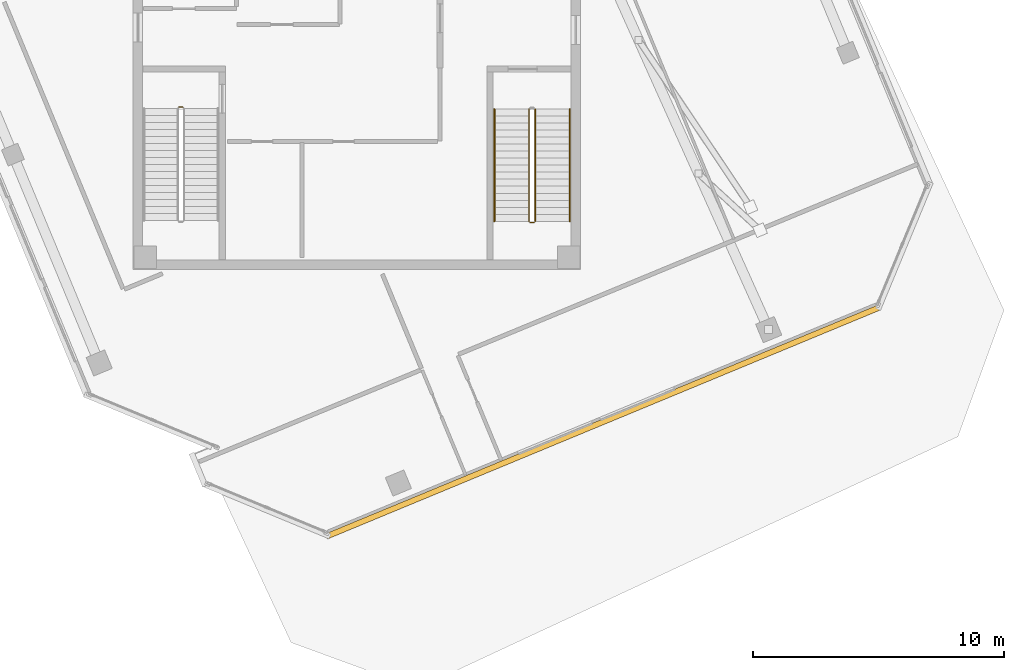
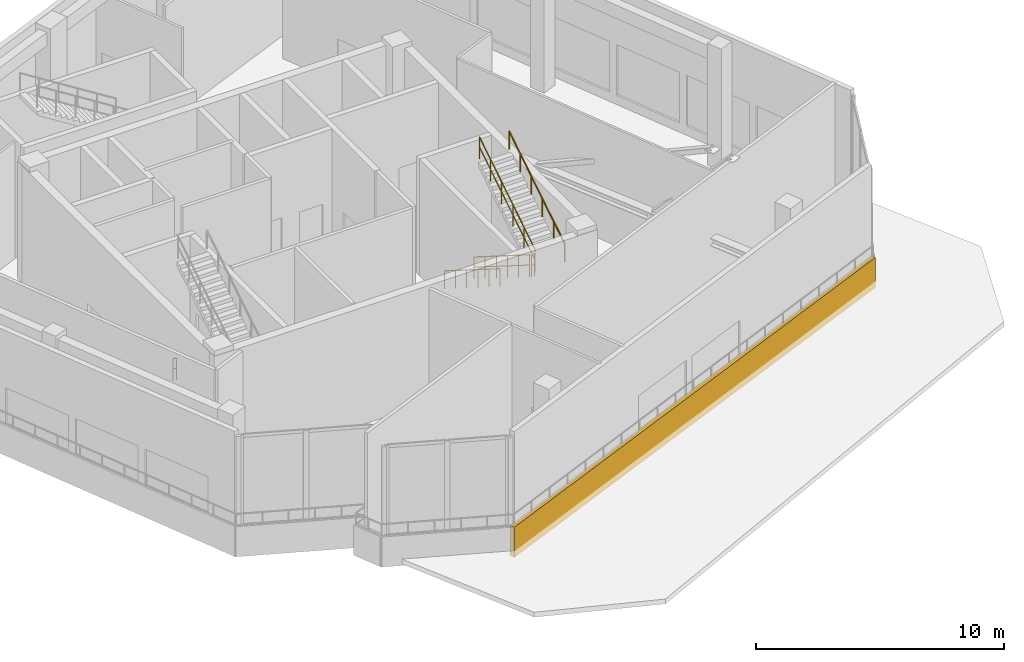
# One storey, part 12 of 16: 6 railings, 1 covering.
"""IFC4 building model written with IfcOpenShell, lengths in metres."""

from ifc_helpers import new_model, si_unit, direction, frame, origin, origin_2d, place, context, subcontext, project, spatial, rectangle, circle, extrude, source, transform, mapped, material, layer, layer_set, type_object, element, save


model = new_model("IFC4")

# Units and contexts
model_context = context("Model", 3, precision=1e-05, world=origin(), true_north=direction((0.0, 1.0)))
body_context = subcontext(model_context, "Body", "Model", "MODEL_VIEW")
ifc_project = project(units=[si_unit("LENGTHUNIT", "METRE"), si_unit("AREAUNIT", "SQUARE_METRE"), si_unit("VOLUMEUNIT", "CUBIC_METRE"), si_unit("PLANEANGLEUNIT", "RADIAN"), si_unit("MASSUNIT", "GRAM", prefix="KILO")], contexts=[model_context])

# Site, building, storey
site_placement = place(None, origin())
site = spatial("IfcSite", under=ifc_project, at=site_placement, CompositionType="ELEMENT")
building_placement = place(site_placement, origin())
building = spatial("IfcBuilding", under=site, at=building_placement, Name="Torre Montelarca", CompositionType="ELEMENT")
storey_placement = place(building_placement, frame((0.0, 0.0, 349.199951171875)))
storey = spatial("IfcBuildingStorey", under=building, at=storey_placement, Name="L79", CompositionType="ELEMENT", Elevation=349.199951171875)

# Railings
ifc_material_1 = material(Name="Powder-coated steel ASTM A500 Grade C", Category="steel")
railing_type_1 = type_object("IfcRailingType", Name="RL-GUARD-1100", PredefinedType="BALUSTRADE", material=ifc_material_1)
railing_1_placement = place(storey_placement, frame((10.89990234375, 30.550048828125, 0.0)))
element("IfcRailing", 1, at=railing_1_placement, inside=storey, type_object=railing_type_1, Name="L79 ST1 stair guard 4", PredefinedType="BALUSTRADE", context=body_context, shape_type="SweptSolid", body=[
    extrude(circle(Radius=0.02392578125, at=origin_2d()), frame((0.0, 0.0, 1.076171875), z_axis=(1.0, 0.0, 0.0), x_axis=(0.0, 1.0, 0.0)), (0.0, 0.0, 1.0), 0.150146484375),
    extrude(circle(Radius=0.02099609375, at=origin_2d()), frame((0.0, 0.0, 0.572021484375), z_axis=(1.0, 0.0, 0.0), x_axis=(0.0, 1.0, 0.0)), (0.0, 0.0, 1.0), 0.150146484375),
    extrude(circle(Radius=0.02099609375, at=origin_2d()), origin(), (0.0, 0.0, 1.0), 1.052001953125),
    extrude(circle(Radius=0.02099609375, at=origin_2d()), frame((0.150146484375, 0.0, 0.0)), (0.0, 0.0, 1.0), 1.052001953125),
])
railing_2_placement = place(storey_placement, frame((24.8701171875, 30.469970703125, 0.176513671875)))
element("IfcRailing", 2, at=railing_2_placement, inside=storey, type_object=railing_type_1, Name="L79 ST2 stair guard 1", PredefinedType="BALUSTRADE", context=body_context, shape_type="SweptSolid", body=[
    extrude(circle(Radius=0.02392578125, at=origin_2d()), frame((0.0, 0.0, 1.076171875), z_axis=(0.0, -0.845997938375, 0.533186166611), x_axis=(1.0, 0.0, 0.0)), (0.0, 0.0, 1.0), 5.29541015625),
    extrude(circle(Radius=0.02099609375, at=origin_2d()), frame((0.0, 0.0, 0.572021484375), z_axis=(0.0, -0.845997938375, 0.533186166611), x_axis=(1.0, 0.0, 0.0)), (0.0, 0.0, 1.0), 5.29541015625),
    extrude(circle(Radius=0.02099609375, at=origin_2d()), origin(), (0.0, 0.0, 1.0), 1.052001953125),
    extrude(circle(Radius=0.02099609375, at=origin_2d()), frame((0.0, -0.89599609375, 0.564697265625)), (0.0, 0.0, 1.0), 1.052001953125),
    extrude(circle(Radius=0.02099609375, at=origin_2d()), frame((0.0, -1.7919921875, 1.12939453125)), (0.0, 0.0, 1.0), 1.052001953125),
    extrude(circle(Radius=0.02099609375, at=origin_2d()), frame((0.0, -2.68798828125, 1.694091796875)), (0.0, 0.0, 1.0), 1.052001953125),
    extrude(circle(Radius=0.02099609375, at=origin_2d()), frame((0.0, -3.583984375, 2.2587890625)), (0.0, 0.0, 1.0), 1.052001953125),
    extrude(circle(Radius=0.02099609375, at=origin_2d()), frame((0.0, -4.47998046875, 2.823486328125)), (0.0, 0.0, 1.0), 1.052001953125),
])
railing_3_placement = place(storey_placement, frame((24.919921875, 25.93994140625, 3.0)))
element("IfcRailing", 3, at=railing_3_placement, inside=storey, type_object=railing_type_1, Name="L79 ST2 stair guard 2", PredefinedType="BALUSTRADE", context=body_context, shape_type="SweptSolid", body=[
    extrude(circle(Radius=0.02392578125, at=origin_2d()), frame((0.0, 0.0, 1.076171875), z_axis=(1.0, 0.0, 0.0), x_axis=(0.0, 1.0, 0.0)), (0.0, 0.0, 1.0), 0.150146484375),
    extrude(circle(Radius=0.02099609375, at=origin_2d()), frame((0.0, 0.0, 0.572021484375), z_axis=(1.0, 0.0, 0.0), x_axis=(0.0, 1.0, 0.0)), (0.0, 0.0, 1.0), 0.150146484375),
    extrude(circle(Radius=0.02099609375, at=origin_2d()), origin(), (0.0, 0.0, 1.0), 1.052001953125),
    extrude(circle(Radius=0.02099609375, at=origin_2d()), frame((0.150146484375, 0.0, 0.0)), (0.0, 0.0, 1.0), 1.052001953125),
])
railing_4_placement = place(storey_placement, frame((25.1201171875, 25.989990234375, 3.176513671875)))
element("IfcRailing", 4, at=railing_4_placement, inside=storey, type_object=railing_type_1, Name="L79 ST2 stair guard 3", PredefinedType="BALUSTRADE", context=body_context, shape_type="SweptSolid", body=[
    extrude(circle(Radius=0.02392578125, at=origin_2d()), frame((0.0, 0.0, 1.076171875), z_axis=(0.0, 0.845997938375, 0.533186166611), x_axis=(-1.0, 0.0, 0.0)), (0.0, 0.0, 1.0), 5.29541015625),
    extrude(circle(Radius=0.02099609375, at=origin_2d()), frame((0.0, 0.0, 0.572021484375), z_axis=(0.0, 0.845997938375, 0.533186166611), x_axis=(-1.0, 0.0, 0.0)), (0.0, 0.0, 1.0), 5.29541015625),
    extrude(circle(Radius=0.02099609375, at=origin_2d()), origin(), (0.0, 0.0, 1.0), 1.052001953125),
    extrude(circle(Radius=0.02099609375, at=origin_2d()), frame((0.0, 0.89599609375, 0.564697265625)), (0.0, 0.0, 1.0), 1.052001953125),
    extrude(circle(Radius=0.02099609375, at=origin_2d()), frame((0.0, 1.7919921875, 1.12939453125)), (0.0, 0.0, 1.0), 1.052001953125),
    extrude(circle(Radius=0.02099609375, at=origin_2d()), frame((0.0, 2.68798828125, 1.694091796875)), (0.0, 0.0, 1.0), 1.052001953125),
    extrude(circle(Radius=0.02099609375, at=origin_2d()), frame((0.0, 3.583984375, 2.2587890625)), (0.0, 0.0, 1.0), 1.052001953125),
    extrude(circle(Radius=0.02099609375, at=origin_2d()), frame((0.0, 4.47998046875, 2.823486328125)), (0.0, 0.0, 1.0), 1.052001953125),
])
ifc_material_2 = material(Name="Brushed stainless steel AISI 316", Category="steel")
railing_type_2 = type_object("IfcRailingType", Name="RL-HANDRAIL-900", PredefinedType="HANDRAIL", material=ifc_material_2)
railing_5_placement = place(storey_placement, frame((23.489990234375, 30.469970703125, 0.176513671875)))
element("IfcRailing", 5, at=railing_5_placement, inside=storey, type_object=railing_type_2, Name="L79 ST2 stair handrail 1", PredefinedType="HANDRAIL", context=body_context, shape_type="SweptSolid", body=[
    extrude(circle(Radius=0.02392578125, at=origin_2d()), frame((0.0, 0.0, 0.8759765625), z_axis=(0.0, -0.845997938375, 0.533186166611), x_axis=(1.0, 0.0, 0.0)), (0.0, 0.0, 1.0), 5.29541015625),
    extrude(circle(Radius=0.02099609375, at=origin_2d()), origin(), (0.0, 0.0, 1.0), 0.851806640625),
    extrude(circle(Radius=0.02099609375, at=origin_2d()), frame((0.0, -0.89599609375, 0.564697265625)), (0.0, 0.0, 1.0), 0.851806640625),
    extrude(circle(Radius=0.02099609375, at=origin_2d()), frame((0.0, -1.7919921875, 1.12939453125)), (0.0, 0.0, 1.0), 0.851806640625),
    extrude(circle(Radius=0.02099609375, at=origin_2d()), frame((0.0, -2.68798828125, 1.694091796875)), (0.0, 0.0, 1.0), 0.851806640625),
    extrude(circle(Radius=0.02099609375, at=origin_2d()), frame((0.0, -3.583984375, 2.2587890625)), (0.0, 0.0, 1.0), 0.851806640625),
    extrude(circle(Radius=0.02099609375, at=origin_2d()), frame((0.0, -4.47998046875, 2.823486328125)), (0.0, 0.0, 1.0), 0.851806640625),
])
railing_6_placement = place(storey_placement, frame((26.5, 25.989990234375, 3.176513671875)))
element("IfcRailing", 6, at=railing_6_placement, inside=storey, type_object=railing_type_2, Name="L79 ST2 stair handrail 2", PredefinedType="HANDRAIL", context=body_context, shape_type="SweptSolid", body=[
    extrude(circle(Radius=0.02392578125, at=origin_2d()), frame((0.0, 0.0, 0.8759765625), z_axis=(0.0, 0.845997938375, 0.533186166611), x_axis=(-1.0, 0.0, 0.0)), (0.0, 0.0, 1.0), 5.29541015625),
    extrude(circle(Radius=0.02099609375, at=origin_2d()), origin(), (0.0, 0.0, 1.0), 0.851806640625),
    extrude(circle(Radius=0.02099609375, at=origin_2d()), frame((0.0, 0.89599609375, 0.564697265625)), (0.0, 0.0, 1.0), 0.851806640625),
    extrude(circle(Radius=0.02099609375, at=origin_2d()), frame((0.0, 1.7919921875, 1.12939453125)), (0.0, 0.0, 1.0), 0.851806640625),
    extrude(circle(Radius=0.02099609375, at=origin_2d()), frame((0.0, 2.68798828125, 1.694091796875)), (0.0, 0.0, 1.0), 0.851806640625),
    extrude(circle(Radius=0.02099609375, at=origin_2d()), frame((0.0, 3.583984375, 2.2587890625)), (0.0, 0.0, 1.0), 0.851806640625),
    extrude(circle(Radius=0.02099609375, at=origin_2d()), frame((0.0, 4.47998046875, 2.823486328125)), (0.0, 0.0, 1.0), 0.851806640625),
])

# Covering
ifc_material_3 = material(Name="Bush-hammered warm white precast concrete C45/55", Category="concrete")
ifc_layer = layer(ifc_material_3, 0.139892578125, Name="Bush-hammered warm white precast concrete C45/55", Category="concrete")
ifc_layer_set = layer_set([ifc_layer], Name="Bush-hammered warm white precast concrete C45/55")
covering_type = type_object("IfcCoveringType", Name="COV-TRAY-CLAD", PredefinedType="CLADDING", material=ifc_layer_set)
shared_shape = source(origin(), body_context, "Body", "SweptSolid", [
    extrude(rectangle(XDim=23.919921875, YDim=0.219970703125, at=origin_2d()), origin(), (0.0, 0.0, 1.0), 1.47998046875),
])
covering_placement = place(storey_placement, frame((27.84375, 17.9912109375, -0.31982421875), z_axis=(0.0, 0.0, 1.0), x_axis=(0.923880200418, 0.382681819891, 0.0)))
element("IfcCovering", 7, at=covering_placement, inside=storey, type_object=covering_type, Name="L79 Architectural White Spandrel Tray Band DMPRNG-06", PredefinedType="CLADDING", context=body_context, shape_type="MappedRepresentation", body=[
    mapped(shared_shape, transform((0.0, 0.0, 0.0), scale=1.0)),
])

save(model, "model.ifc")
